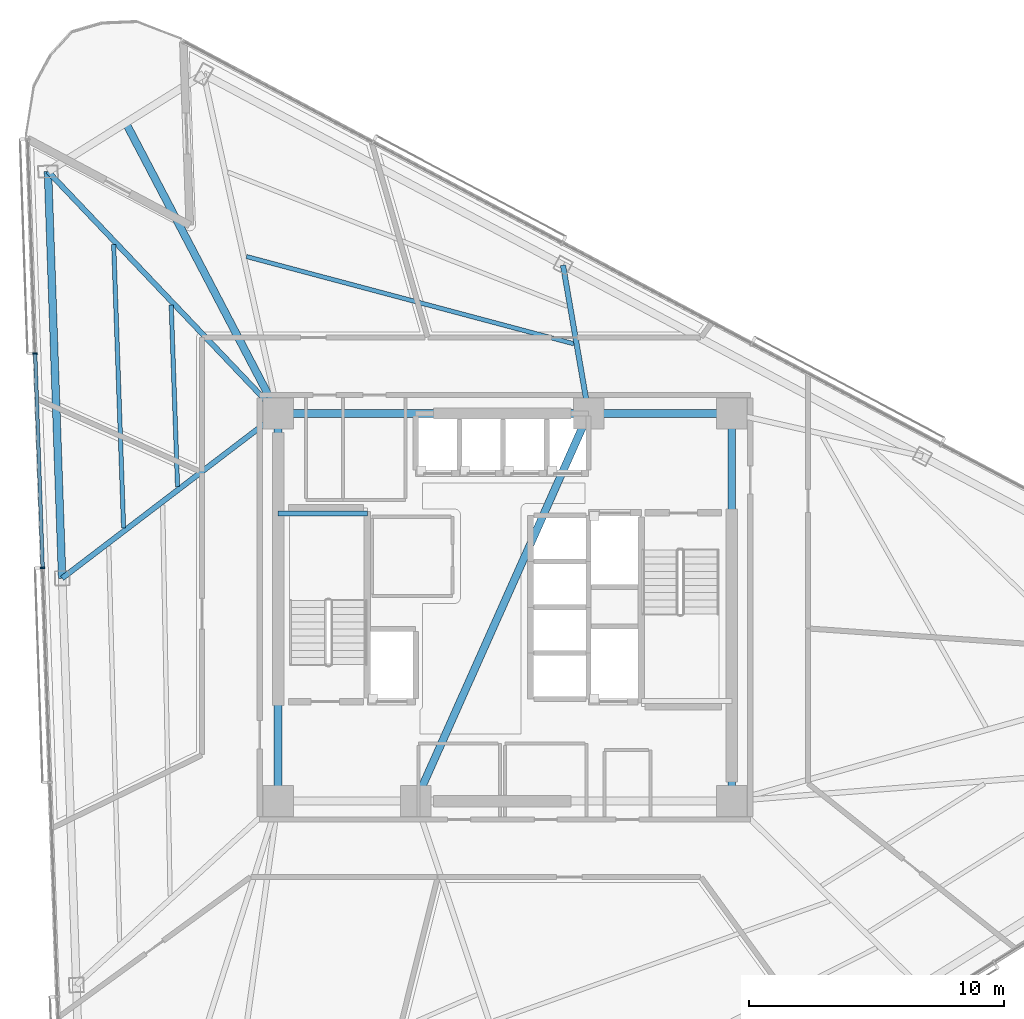
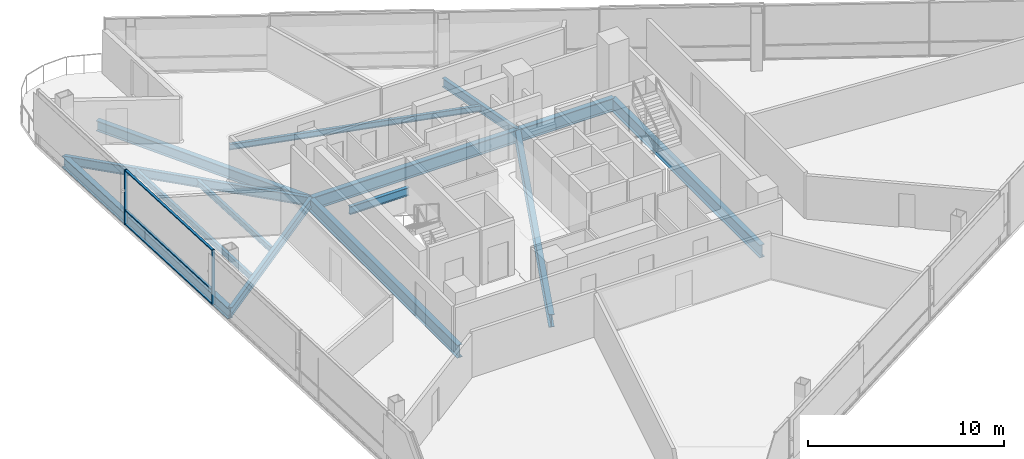
# One storey, part 7 of 21: 14 beams, 5 members, 1 element without a shape of its own.
"""IFC4 building model written with IfcOpenShell, lengths in metres."""

from ifc_helpers import new_model, si_unit, direction, frame, origin, origin_2d, place, context, subcontext, project, spatial, rectangle, i_section, extrude, material, layer, layer_set, material_profile, profile_set, type_object, element, aggregate, save


model = new_model("IFC4")

# Units and contexts
model_context = context("Model", 3, precision=1e-05, world=origin(), true_north=direction((0.0, 1.0)))
body_context = subcontext(model_context, "Body", "Model", "MODEL_VIEW")
ifc_project = project(units=[si_unit("LENGTHUNIT", "METRE"), si_unit("AREAUNIT", "SQUARE_METRE"), si_unit("VOLUMEUNIT", "CUBIC_METRE"), si_unit("PLANEANGLEUNIT", "RADIAN"), si_unit("MASSUNIT", "GRAM", prefix="KILO")], contexts=[model_context])

# Site, building, storey
site_placement = place(None, origin())
site = spatial("IfcSite", under=ifc_project, at=site_placement, CompositionType="ELEMENT")
building_placement = place(site_placement, origin())
building = spatial("IfcBuilding", under=site, at=building_placement, Name="Tharavind Bronze Gate", CompositionType="ELEMENT")
storey_placement = place(building_placement, frame((0.0, 0.0, 142.39990234375)))
storey = spatial("IfcBuildingStorey", under=building, at=storey_placement, Name="L36", CompositionType="ELEMENT", Elevation=142.39990234375)

# Curtain wall, members
ifc_material_1 = material(Name="Anodised Bronze Aluminium", Category="aluminium")
ifc_layer = layer(ifc_material_1, 0.219970703125)
ifc_layer_set = layer_set([ifc_layer], Name="Anodised Bronze Aluminium")
curtain_wall_type = type_object("IfcCurtainWallType", Name="UNITISED CURTAIN WALL MID OFFICE", PredefinedType="USERDEFINED", material=ifc_layer_set)
curtain_wall_placement = place(storey_placement, origin())
curtain_wall = element("IfcCurtainWall", 1, at=curtain_wall_placement, inside=storey, type_object=curtain_wall_type, Name="L36 unitised curtain wall mid office CW-L36-S1", ObjectType="UNITISED CURTAIN WALL", PredefinedType="USERDEFINED")
member_type_1 = type_object("IfcMemberType", Name="CURTAIN WALL BRONZE MULLION 65X180", PredefinedType="MULLION", material=ifc_material_1)
member_1_placement = place(storey_placement, frame((-18.426025390625, 9.955078125, 0.0), z_axis=(0.0, 0.0, 1.0), x_axis=(0.034899496703, -0.999390827019, 0.0)))
member_1 = element("IfcMember", 2, at=member_1_placement, type_object=member_type_1, Name="CW-L36-S1 mullion 2", PredefinedType="MULLION", context=body_context, shape_type="SweptSolid", body=[
    extrude(rectangle(XDim=0.06494140625, YDim=0.179931640625, at=origin_2d()), origin(), (0.0, 0.0, 1.0), 3.409912109375),
])
member_2_placement = place(storey_placement, frame((-18.132568359375, 1.545654296875, 0.0), z_axis=(0.0, 0.0, 1.0), x_axis=(0.034899496703, -0.999390827019, 0.0)))
member_2 = element("IfcMember", 3, at=member_2_placement, type_object=member_type_1, Name="CW-L36-S1 mullion 3", PredefinedType="MULLION", context=body_context, shape_type="SweptSolid", body=[
    extrude(rectangle(XDim=0.06494140625, YDim=0.179931640625, at=origin_2d()), origin(), (0.0, 0.0, 1.0), 3.409912109375),
])
member_type_2 = type_object("IfcMemberType", Name="CURTAIN WALL BRONZE TRANSOM 65X140", PredefinedType="USERDEFINED", material=ifc_material_1)
member_3_placement = place(storey_placement, frame((-18.279296875, 5.750244140625, 0.000244140625), z_axis=(0.0, 0.0, 1.0), x_axis=(0.034899496703, -0.999390827019, 0.0)))
member_3 = element("IfcMember", 4, at=member_3_placement, type_object=member_type_2, Name="CW-L36-S1 transom TB2", ObjectType="TRANSOM", PredefinedType="USERDEFINED", context=body_context, shape_type="SweptSolid", body=[
    extrude(rectangle(XDim=8.361572265625, YDim=0.139892578125, at=origin_2d()), origin(), (0.0, 0.0, 1.0), 0.06494140625),
])
member_4_placement = place(storey_placement, frame((-18.279296875, 5.750244140625, 0.86767578125), z_axis=(0.0, 0.0, 1.0), x_axis=(0.034899496703, -0.999390827019, 0.0)))
member_4 = element("IfcMember", 5, at=member_4_placement, type_object=member_type_2, Name="CW-L36-S1 transom TS2", ObjectType="TRANSOM", PredefinedType="USERDEFINED", context=body_context, shape_type="SweptSolid", body=[
    extrude(rectangle(XDim=8.361572265625, YDim=0.139892578125, at=origin_2d()), origin(), (0.0, 0.0, 1.0), 0.06494140625),
])
member_5_placement = place(storey_placement, frame((-18.279296875, 5.750244140625, 3.34521484375), z_axis=(0.0, 0.0, 1.0), x_axis=(0.034899496703, -0.999390827019, 0.0)))
member_5 = element("IfcMember", 6, at=member_5_placement, type_object=member_type_2, Name="CW-L36-S1 transom TT2", ObjectType="TRANSOM", PredefinedType="USERDEFINED", context=body_context, shape_type="SweptSolid", body=[
    extrude(rectangle(XDim=8.361572265625, YDim=0.139892578125, at=origin_2d()), origin(), (0.0, 0.0, 1.0), 0.06494140625),
])
aggregate(curtain_wall, [member_1, member_2, member_3, member_4, member_5])

# Beams
ifc_material_2 = material(Name="Steel S355", Category="steel")
ifc_material_profile_1 = material_profile(ifc_material_2, i_section(OverallWidth=0.300048828125, OverallDepth=0.64990234375, WebThickness=0.01611328125, FlangeThickness=0.031005859375, at=origin_2d()), Name="HE650B")
ifc_profile_set_1 = profile_set([ifc_material_profile_1], Name="Steel S355")
beam_type_1 = type_object("IfcBeamType", Name="PRIMARY GIRDER HE650B", PredefinedType="USERDEFINED", material=ifc_profile_set_1)
beam_1_placement = place(storey_placement, frame((-8.89990234375, 7.60009765625, -0.514892578125), z_axis=(-0.464055196484, 0.88580628504, 0.0), x_axis=(-0.88580628504, -0.464055196484, 0.0)))
element("IfcBeam", 7, at=beam_1_placement, inside=storey, type_object=beam_type_1, Name="L36 primary girder he650b BM-L36-BLCSB", ObjectType="GIRDER", PredefinedType="USERDEFINED", context=body_context, shape_type="SweptSolid", body=[
    extrude(i_section(OverallWidth=0.300048828125, OverallDepth=0.64990234375, WebThickness=0.01611328125, FlangeThickness=0.031005859375, at=origin_2d()), origin(), (0.0, 0.0, 1.0), 12.86962890625),
])
ifc_material_profile_2 = material_profile(ifc_material_2, i_section(OverallWidth=0.199951171875, OverallDepth=0.5, WebThickness=0.01025390625, FlangeThickness=0.01611328125, at=origin_2d()), Name="IPE500")
ifc_profile_set_2 = profile_set([ifc_material_profile_2], Name="Steel S355")
beam_type_2 = type_object("IfcBeamType", Name="PRIMARY GIRDER IPE500", PredefinedType="USERDEFINED", material=ifc_profile_set_2)
beam_2_placement = place(storey_placement, frame((-8.89990234375, 3.679931640625, 1.35009765625), z_axis=(1.0, 0.0, 0.0), x_axis=(0.0, 1.0, 0.0)))
element("IfcBeam", 8, at=beam_2_placement, inside=storey, type_object=beam_type_2, Name="L36 primary girder ipe500 BM-LD-ST1-L36-1", ObjectType="GIRDER", PredefinedType="USERDEFINED", context=body_context, shape_type="SweptSolid", body=[
    extrude(i_section(OverallWidth=0.199951171875, OverallDepth=0.5, WebThickness=0.01025390625, FlangeThickness=0.01611328125, at=origin_2d()), origin(), (0.0, 0.0, 1.0), 3.5),
])
ifc_material_profile_3 = material_profile(ifc_material_2, i_section(OverallWidth=0.2099609375, OverallDepth=0.550048828125, WebThickness=0.010986328125, FlangeThickness=0.01708984375, at=origin_2d()), Name="IPE550")
ifc_profile_set_3 = profile_set([ifc_material_profile_3], Name="Steel S355")
beam_type_3 = type_object("IfcBeamType", Name="PRIMARY GIRDER IPE550", PredefinedType="USERDEFINED", material=ifc_profile_set_3)
beam_3_placement = place(storey_placement, frame((-17.9248046875, 17.09228515625, -0.46484375), z_axis=(0.689043333113, -0.724720142602, 0.0), x_axis=(0.724720142602, 0.689043333113, 0.0)))
element("IfcBeam", 9, at=beam_3_placement, inside=storey, type_object=beam_type_3, Name="L36 primary girder ipe550 BM-L36-RAD01", ObjectType="GIRDER", PredefinedType="USERDEFINED", context=body_context, shape_type="SweptSolid", body=[
    extrude(i_section(OverallWidth=0.2099609375, OverallDepth=0.550048828125, WebThickness=0.010986328125, FlangeThickness=0.01708984375, at=origin_2d()), origin(), (0.0, 0.0, 1.0), 13.09765625),
])
beam_4_placement = place(storey_placement, frame((-17.367919921875, 1.138916015625, -0.46484375), z_axis=(0.79500796779, 0.6065989871, 0.0), x_axis=(-0.6065989871, 0.79500796779, 0.0)))
element("IfcBeam", 10, at=beam_4_placement, inside=storey, type_object=beam_type_3, Name="L36 primary girder ipe550 BM-L36-RAD02", ObjectType="GIRDER", PredefinedType="USERDEFINED", context=body_context, shape_type="SweptSolid", body=[
    extrude(i_section(OverallWidth=0.2099609375, OverallDepth=0.550048828125, WebThickness=0.010986328125, FlangeThickness=0.01708984375, at=origin_2d()), origin(), (0.0, 0.0, 1.0), 10.6513671875),
])
beam_5_placement = place(storey_placement, frame((2.275634765625, 13.41357421875, -0.46484375), z_axis=(0.170247810627, -0.985401280178, 0.0), x_axis=(0.985401280178, 0.170247810627, 0.0)))
element("IfcBeam", 11, at=beam_5_placement, inside=storey, type_object=beam_type_3, Name="L36 primary girder ipe550 BM-L36-RAD11", ObjectType="GIRDER", PredefinedType="USERDEFINED", context=body_context, shape_type="SweptSolid", body=[
    extrude(i_section(OverallWidth=0.2099609375, OverallDepth=0.550048828125, WebThickness=0.010986328125, FlangeThickness=0.01708984375, at=origin_2d()), origin(), (0.0, 0.0, 1.0), 5.899658203125),
])
ifc_material_profile_4 = material_profile(ifc_material_2, i_section(OverallWidth=0.300048828125, OverallDepth=0.699951171875, WebThickness=0.01708984375, FlangeThickness=0.031982421875, at=origin_2d()), Name="HE700B")
ifc_profile_set_4 = profile_set([ifc_material_profile_4], Name="Steel S355")
beam_type_4 = type_object("IfcBeamType", Name="RING GIRDER HE700B", PredefinedType="USERDEFINED", material=ifc_profile_set_4)
beam_6_placement = place(storey_placement, frame((-17.9248046875, 17.09228515625, -0.539794921875), z_axis=(0.034885784199, -0.999391305776, 0.0), x_axis=(0.999391305776, 0.034885784199, 0.0)))
element("IfcBeam", 12, at=beam_6_placement, inside=storey, type_object=beam_type_4, Name="L36 ring girder he700b BM-L36-PRG01", ObjectType="GIRDER", PredefinedType="USERDEFINED", context=body_context, shape_type="SweptSolid", body=[
    extrude(i_section(OverallWidth=0.300048828125, OverallDepth=0.699951171875, WebThickness=0.01708984375, FlangeThickness=0.031982421875, at=origin_2d()), origin(), (0.0, 0.0, 1.0), 15.963134765625),
])
ifc_material_profile_5 = material_profile(ifc_material_2, i_section(OverallWidth=0.300048828125, OverallDepth=0.800048828125, WebThickness=0.017578125, FlangeThickness=0.032958984375, at=origin_2d()), Name="HE800B")
ifc_profile_set_5 = profile_set([ifc_material_profile_5], Name="Steel S355")
beam_type_5 = type_object("IfcBeamType", Name="RING GIRDER HE800B", PredefinedType="USERDEFINED", material=ifc_profile_set_5)
beam_7_placement = place(storey_placement, frame((8.89990234375, -7.60009765625, -0.58984375), z_axis=(0.0, 1.0, 0.0), x_axis=(-1.0, 0.0, 0.0)))
element("IfcBeam", 13, at=beam_7_placement, inside=storey, type_object=beam_type_5, Name="L36 ring girder he800b BM-L36-CR3", ObjectType="GIRDER", PredefinedType="USERDEFINED", context=body_context, shape_type="SweptSolid", body=[
    extrude(i_section(OverallWidth=0.300048828125, OverallDepth=0.800048828125, WebThickness=0.017578125, FlangeThickness=0.032958984375, at=origin_2d()), origin(), (0.0, 0.0, 1.0), 15.2001953125),
])
beam_8_placement = place(storey_placement, frame((8.89990234375, 7.60009765625, -0.58984375), z_axis=(-1.0, 0.0, 0.0), x_axis=(0.0, -1.0, 0.0)))
element("IfcBeam", 14, at=beam_8_placement, inside=storey, type_object=beam_type_5, Name="L36 ring girder he800b BM-L36-CR4", ObjectType="GIRDER", PredefinedType="USERDEFINED", context=body_context, shape_type="SweptSolid", body=[
    extrude(i_section(OverallWidth=0.300048828125, OverallDepth=0.800048828125, WebThickness=0.017578125, FlangeThickness=0.032958984375, at=origin_2d()), origin(), (0.0, 0.0, 1.0), 5.619873046875),
])
beam_9_placement = place(storey_placement, frame((3.280029296875, 7.60009765625, -0.58984375), z_axis=(-1.0, 0.0, 0.0), x_axis=(0.0, -1.0, 0.0)))
element("IfcBeam", 15, at=beam_9_placement, inside=storey, type_object=beam_type_5, Name="L36 ring girder he800b BM-L36-CR5", ObjectType="GIRDER", PredefinedType="USERDEFINED", context=body_context, shape_type="SweptSolid", body=[
    extrude(i_section(OverallWidth=0.300048828125, OverallDepth=0.800048828125, WebThickness=0.017578125, FlangeThickness=0.032958984375, at=origin_2d()), origin(), (0.0, 0.0, 1.0), 12.179931640625),
])
beam_10_placement = place(storey_placement, frame((-8.89990234375, 7.60009765625, -0.58984375), z_axis=(0.0, -1.0, 0.0), x_axis=(1.0, 0.0, 0.0)))
element("IfcBeam", 16, at=beam_10_placement, inside=storey, type_object=beam_type_5, Name="L36 ring girder he800b BM-L36-CR6", ObjectType="GIRDER", PredefinedType="USERDEFINED", context=body_context, shape_type="SweptSolid", body=[
    extrude(i_section(OverallWidth=0.300048828125, OverallDepth=0.800048828125, WebThickness=0.017578125, FlangeThickness=0.032958984375, at=origin_2d()), origin(), (0.0, 0.0, 1.0), 15.2001953125),
])
beam_11_placement = place(storey_placement, frame((-3.5, -7.60009765625, -0.58984375), z_axis=(0.407361644566, 0.913266932795, 0.0), x_axis=(-0.913266932795, 0.407361644566, 0.0)))
element("IfcBeam", 17, at=beam_11_placement, inside=storey, type_object=beam_type_5, Name="L36 ring girder he800b BM-L36-CR7", ObjectType="GIRDER", PredefinedType="USERDEFINED", context=body_context, shape_type="SweptSolid", body=[
    extrude(i_section(OverallWidth=0.300048828125, OverallDepth=0.800048828125, WebThickness=0.017578125, FlangeThickness=0.032958984375, at=origin_2d()), origin(), (0.0, 0.0, 1.0), 16.643798828125),
])
ifc_material_profile_6 = material_profile(ifc_material_2, i_section(OverallWidth=0.169921875, OverallDepth=0.360107421875, WebThickness=0.008056640625, FlangeThickness=0.0126953125, at=origin_2d()), Name="IPE360")
ifc_profile_set_6 = profile_set([ifc_material_profile_6], Name="Steel S355")
beam_type_6 = type_object("IfcBeamType", Name="SECONDARY FLOOR JOIST IPE360", PredefinedType="JOIST", material=ifc_profile_set_6)
beam_12_placement = place(storey_placement, frame((-13.0908203125, 11.851806640625, -0.369873046875), z_axis=(0.034868084792, -0.999391923453, 0.0), x_axis=(0.999391923453, 0.034868084792, 0.0)))
element("IfcBeam", 18, at=beam_12_placement, inside=storey, type_object=beam_type_6, Name="L36 secondary floor joist ipe360 BM-L36-JSTA01", PredefinedType="JOIST", context=body_context, shape_type="SweptSolid", body=[
    extrude(i_section(OverallWidth=0.169921875, OverallDepth=0.360107421875, WebThickness=0.008056640625, FlangeThickness=0.0126953125, at=origin_2d()), origin(), (0.0, 0.0, 1.0), 7.1279296875),
])
beam_13_placement = place(storey_placement, frame((-15.34716796875, 14.224853515625, -0.369873046875), z_axis=(0.034913008406, -0.999390355089, 0.0), x_axis=(0.999390355089, 0.034913008406, 0.0)))
element("IfcBeam", 19, at=beam_13_placement, inside=storey, type_object=beam_type_6, Name="L36 secondary floor joist ipe360 BM-L36-JSTB01", PredefinedType="JOIST", context=body_context, shape_type="SweptSolid", body=[
    extrude(i_section(OverallWidth=0.169921875, OverallDepth=0.360107421875, WebThickness=0.008056640625, FlangeThickness=0.0126953125, at=origin_2d()), origin(), (0.0, 0.0, 1.0), 11.11865234375),
])
beam_14_placement = place(storey_placement, frame((2.697509765625, 10.333984375, -0.369873046875), z_axis=(-0.966245614019, 0.257622618162, 0.0), x_axis=(-0.257622618162, -0.966245614019, 0.0)))
element("IfcBeam", 20, at=beam_14_placement, inside=storey, type_object=beam_type_6, Name="L36 secondary floor joist ipe360 BM-L36-JSTA11", PredefinedType="JOIST", context=body_context, shape_type="SweptSolid", body=[
    extrude(i_section(OverallWidth=0.169921875, OverallDepth=0.360107421875, WebThickness=0.008056640625, FlangeThickness=0.0126953125, at=origin_2d()), origin(), (0.0, 0.0, 1.0), 13.285400390625),
])

save(model, "model.ifc")
